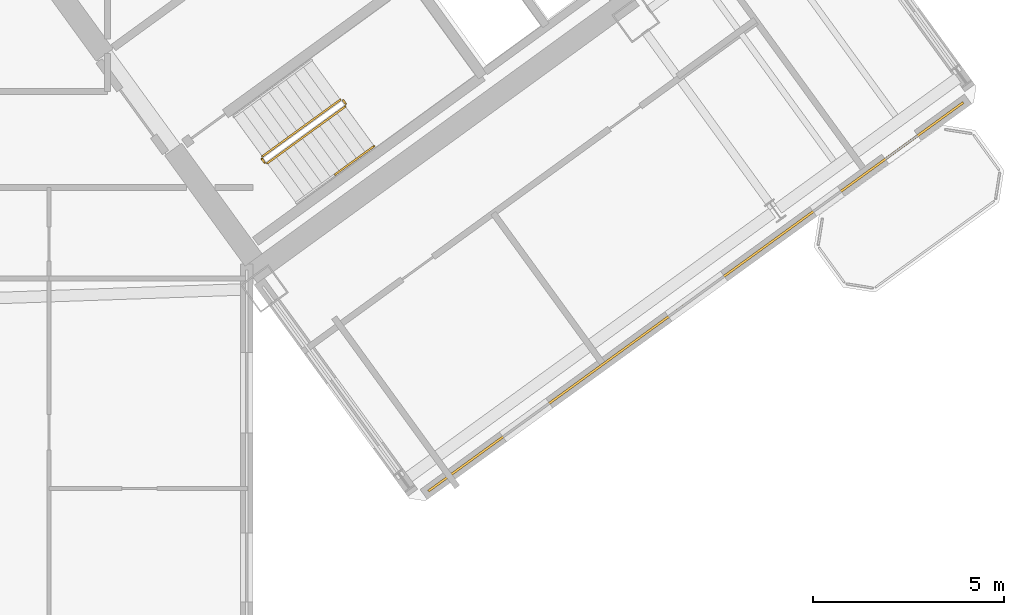
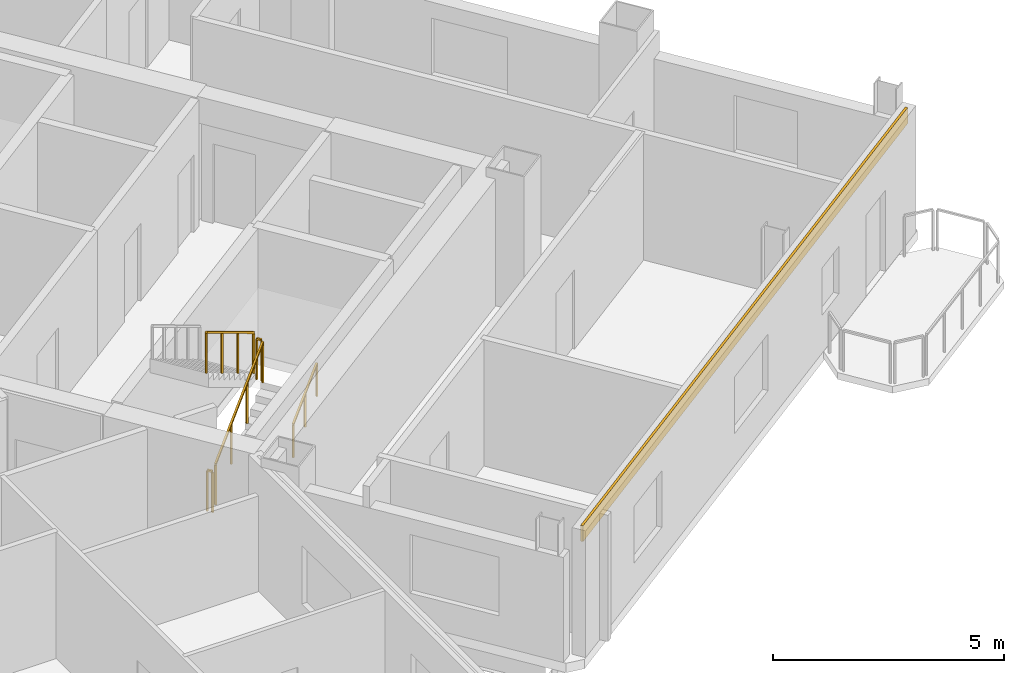
# One storey, part 27 of 29: 5 railings, 1 covering.
"""IFC4 building model written with IfcOpenShell, lengths in metres."""

import ifcopenshell
import ifcopenshell.guid

model = None  # the IFC model being written
_history = None  # IfcOwnerHistory: only IFC2X3 demands one
_inside = {}  # id of a spatial element -> (the spatial element, [elements in it])
_under = {}  # id of a project, library or spatial element -> (it, [spatial elements below it])
_declared = {}  # id of a project -> (the project, [libraries it declares])
_typed = {}  # id of a type object -> (the type object, [elements of that type])
_made_of = {}  # id of a material, layer set ... -> (it, [elements and type objects made of it])


def new_model(schema):
    """Start an empty IFC model of exactly this schema.

    Asked for "IFC4X3", IfcOpenShell would pick the latest addendum, in which some entities
    have other attributes; the version numbers below select the first issue.
    IFC2X3 requires an IfcOwnerHistory on every rooted entity: one is made here for all.
    """
    global model, _history
    if schema == "IFC4X3":
        model = ifcopenshell.file(schema_version=(4, 3, 0, 0))
    else:
        model = ifcopenshell.file(schema=schema)
    _inside.clear()
    _under.clear()
    _declared.clear()
    _typed.clear()
    _made_of.clear()
    _history = None
    if model.schema == "IFC2X3":
        org = make("IfcOrganization", Name="unknown")
        user = make(
            "IfcPersonAndOrganization",
            ThePerson=make("IfcPerson", FamilyName="unknown"),
            TheOrganization=org,
        )
        app = make(
            "IfcApplication",
            ApplicationDeveloper=org,
            Version="unknown",
            ApplicationFullName="unknown",
            ApplicationIdentifier="unknown",
        )
        _history = make(
            "IfcOwnerHistory",
            OwningUser=user,
            OwningApplication=app,
            ChangeAction="ADDED",
            CreationDate=0,
        )
    return model


def make(cls, **values):
    """One entity of the class cls with the attributes given. An attribute that is None is left unset."""
    return model.create_entity(
        cls, **{name: value for name, value in values.items() if value is not None}
    )


def rooted(cls, **values):
    """An entity with a GlobalId (a new one), such as an element, a storey or a relation."""
    return make(cls, GlobalId=ifcopenshell.guid.new(), OwnerHistory=_history, **values)


def si_unit(unit_type, name, prefix=None):
    """IfcSIUnit, for example si_unit("LENGTHUNIT", "METRE", prefix="MILLI")."""
    return make("IfcSIUnit", UnitType=unit_type, Prefix=prefix, Name=name)


def assignment(units):
    """IfcUnitAssignment: the units of a project."""
    return None if units is None else make("IfcUnitAssignment", Units=units)


def point(xyz):
    """IfcCartesianPoint."""
    return None if xyz is None else make("IfcCartesianPoint", Coordinates=xyz)


def direction(xyz):
    """IfcDirection."""
    return None if xyz is None else make("IfcDirection", DirectionRatios=xyz)


def frame(location, z_axis=None, x_axis=None):
    """IfcAxis2Placement3D, a coordinate frame: its origin and axes. An axis left out is left unset."""
    return make(
        "IfcAxis2Placement3D",
        Location=point(location),
        Axis=direction(z_axis),
        RefDirection=direction(x_axis),
    )


def frame_2d(location, x_axis=None):
    """IfcAxis2Placement2D, a coordinate frame in the plane: its origin and x axis."""
    return make(
        "IfcAxis2Placement2D", Location=point(location), RefDirection=direction(x_axis)
    )


def origin():
    """The frame at (0, 0, 0) with its axes left unset."""
    return frame((0.0, 0.0, 0.0))


def origin_2d():
    """The frame at (0, 0) in the plane with its x axis left unset."""
    return frame_2d((0.0, 0.0))


def place(relative_to, where):
    """IfcLocalPlacement: puts the frame where relative to a parent placement (None: the world)."""
    return make(
        "IfcLocalPlacement", PlacementRelTo=relative_to, RelativePlacement=where
    )


def context(
    kind, dimensions, precision=None, world=None, true_north=None, identifier=None
):
    """IfcGeometricRepresentationContext, for example the 3D "Model" context."""
    return make(
        "IfcGeometricRepresentationContext",
        ContextIdentifier=identifier,
        ContextType=kind,
        CoordinateSpaceDimension=dimensions,
        Precision=precision,
        WorldCoordinateSystem=world,
        TrueNorth=true_north,
    )


def subcontext(parent, identifier, kind, view, scale=None):
    """IfcGeometricRepresentationSubContext, for example "Body" below "Model"."""
    return make(
        "IfcGeometricRepresentationSubContext",
        ContextIdentifier=identifier,
        ContextType=kind,
        ParentContext=parent,
        TargetScale=scale,
        TargetView=view,
    )


def project(units=None, contexts=None):
    """IfcProject with its units and contexts."""
    return rooted(
        "IfcProject",
        Name="project",
        RepresentationContexts=contexts,
        UnitsInContext=assignment(units),
    )


def spatial(cls, under=None, at=None, **own):
    """A site, building, storey or space (cls), placed at a placement, below another one or the project."""
    s = rooted(cls, ObjectPlacement=at, **own)
    if under is not None:
        _under.setdefault(under.id(), (under, []))[1].append(s)
    return s


def profile(cls, at=None, kind="AREA", **sizes):
    """A parametric profile (cls). Its sizes go by their IFC names, for example OverallWidth=200.0."""
    return make(cls, ProfileType=kind, Position=at, **sizes)


def rectangle(**sizes):
    """IfcRectangleProfileDef."""
    return profile("IfcRectangleProfileDef", **sizes)


def extrude(swept, where, along, depth):
    """IfcExtrudedAreaSolid: the profile swept, set in the frame where, extruded along a direction by depth."""
    return make(
        "IfcExtrudedAreaSolid",
        SweptArea=swept,
        Position=where,
        ExtrudedDirection=direction(along),
        Depth=depth,
    )


def shape(context_of_items, identifier, shape_type, items):
    """IfcShapeRepresentation: the items that make up one representation, for example the "Body"."""
    return make(
        "IfcShapeRepresentation",
        ContextOfItems=context_of_items,
        RepresentationIdentifier=identifier,
        RepresentationType=shape_type,
        Items=items,
    )


def source(mapping_origin, context_of_items, identifier, shape_type, items):
    """IfcRepresentationMap: a shape defined once, which mapped items show again and again."""
    return make(
        "IfcRepresentationMap",
        MappingOrigin=mapping_origin,
        MappedRepresentation=shape(context_of_items, identifier, shape_type, items),
    )


def transform(
    local_origin,
    x_axis=None,
    y_axis=None,
    z_axis=None,
    scale=None,
    scale2=None,
    scale3=None,
    uniform=True,
):
    """IfcCartesianTransformationOperator3D, or its non-uniform kind. x_axis, y_axis, z_axis: its Axis1, 2, 3."""
    if uniform:
        return make(
            "IfcCartesianTransformationOperator3D",
            Axis1=direction(x_axis),
            Axis2=direction(y_axis),
            LocalOrigin=point(local_origin),
            Scale=scale,
            Axis3=direction(z_axis),
        )
    return make(
        "IfcCartesianTransformationOperator3DnonUniform",
        Axis1=direction(x_axis),
        Axis2=direction(y_axis),
        LocalOrigin=point(local_origin),
        Scale=scale,
        Axis3=direction(z_axis),
        Scale2=scale2,
        Scale3=scale3,
    )


def mapped(mapping_source, mapping_target):
    """IfcMappedItem: shows the shape of a source again, moved by a transform."""
    return make(
        "IfcMappedItem", MappingSource=mapping_source, MappingTarget=mapping_target
    )


def material(Name=None, Category=None):
    """IfcMaterial."""
    return make("IfcMaterial", Name=Name, Category=Category)


def layer(
    of_material, thickness, ventilated=None, Name=None, Category=None, Priority=None
):
    """IfcMaterialLayer: one layer of a wall or slab, of a material (None: an air gap)."""
    return make(
        "IfcMaterialLayer",
        Material=of_material,
        LayerThickness=thickness,
        IsVentilated=ventilated,
        Name=Name,
        Category=Category,
        Priority=Priority,
    )


def layer_set(layers, Name=None):
    """IfcMaterialLayerSet."""
    return make("IfcMaterialLayerSet", MaterialLayers=layers, LayerSetName=Name)


def made_of(thing, what):
    """Note that an element or type object is made of a material, layer set ...; save() writes the relation."""
    if what is not None:
        _made_of.setdefault(what.id(), (what, []))[1].append(thing)
    return thing


def type_object(cls, material=None, **own):
    """A type object (cls), such as IfcWallType, which elements share."""
    return made_of(rooted(cls, **own), material)


def element(
    cls,
    number,
    at=None,
    inside=None,
    cuts=None,
    type_object=None,
    material=None,
    context=None,
    identifier="Body",
    shape_type=None,
    held_by="IfcProductDefinitionShape",
    body=None,
    shapes=None,
    **own,
):
    """One element of the class cls, such as IfcWall. Its Tag is "e" and its number.

    at: its placement. inside: the storey or other place that contains it. cuts: it is an
    opening in that element (IfcRelVoidsElement). A single representation is given by context,
    identifier, shape_type and body (its items); several are given by shapes. held_by: the class
    of the entity that holds the representations. save() writes the other relations.
    """
    e = rooted(cls, Tag="e%d" % number, ObjectPlacement=at, **own)
    if body is not None:
        shapes = [shape(context, identifier, shape_type, body)]
    if shapes is not None:
        e.Representation = make(held_by, Representations=shapes)
    if inside is not None:
        _inside.setdefault(inside.id(), (inside, []))[1].append(e)
    if cuts is not None:
        rooted(
            "IfcRelVoidsElement", RelatingBuildingElement=cuts, RelatedOpeningElement=e
        )
    if type_object is not None:
        _typed.setdefault(type_object.id(), (type_object, []))[1].append(e)
    return made_of(e, material)


def aggregate(whole, parts):
    """IfcRelAggregates: a whole, such as a stair, and the parts it consists of."""
    return rooted("IfcRelAggregates", RelatingObject=whole, RelatedObjects=parts)


def save(model, path):
    """Write the relations noted so far, then the file.

    IfcRelAggregates (storeys below a building ...), IfcRelContainedInSpatialStructure (elements
    in a storey), IfcRelDefinesByType, IfcRelAssociatesMaterial and IfcRelDeclares: one each for
    every whole, place, type object, material and project.
    """
    for whole, parts in _under.values():
        aggregate(whole, parts)
    for where, things in _inside.values():
        rooted(
            "IfcRelContainedInSpatialStructure",
            RelatedElements=things,
            RelatingStructure=where,
        )
    for kind, things in _typed.values():
        rooted("IfcRelDefinesByType", RelatedObjects=things, RelatingType=kind)
    for what, things in _made_of.values():
        rooted("IfcRelAssociatesMaterial", RelatedObjects=things, RelatingMaterial=what)
    for by, libraries in _declared.values():
        rooted("IfcRelDeclares", RelatingContext=by, RelatedDefinitions=libraries)
    model.write(path)


model = new_model("IFC4")

# Units and contexts
model_context = context("Model", 3, precision=1e-05, world=origin(), true_north=direction((0.0, 1.0)))
body_context = subcontext(model_context, "Body", "Model", "MODEL_VIEW")
ifc_project = project(units=[si_unit("LENGTHUNIT", "METRE"), si_unit("AREAUNIT", "SQUARE_METRE"), si_unit("VOLUMEUNIT", "CUBIC_METRE"), si_unit("PLANEANGLEUNIT", "RADIAN"), si_unit("MASSUNIT", "GRAM", prefix="KILO")], contexts=[model_context])

# Site, building, storey
site_placement = place(None, origin())
site = spatial("IfcSite", under=ifc_project, at=site_placement, CompositionType="ELEMENT")
building_placement = place(site_placement, origin())
building = spatial("IfcBuilding", under=site, at=building_placement, Name="Tlacorven Tower", CompositionType="ELEMENT")
storey_placement = place(building_placement, frame((0.0, 0.0, 158.699951171875)))
storey = spatial("IfcBuildingStorey", under=building, at=storey_placement, Name="L40", CompositionType="ELEMENT", Elevation=158.699951171875)

# Covering
ifc_material_1 = material(Name="Precast concrete C45/55", Category="concrete")
ifc_layer = layer(ifc_material_1, 0.06005859375)
ifc_layer_set = layer_set([ifc_layer], Name="Precast concrete C45/55")
covering_type = type_object("IfcCoveringType", Name="CV-CLD-TERC", PredefinedType="CLADDING", material=ifc_layer_set)
shared_shape_1 = source(origin(), body_context, "Body", "SweptSolid", [
    extrude(rectangle(XDim=17.287353515625, YDim=0.06005859375, at=origin_2d()), origin(), (0.0, 0.0, 1.0), 0.419921875),
])
covering_placement = place(storey_placement, frame((63.9833984375, 12.562255859375, 2.93017578125), z_axis=(0.0, 0.0, 1.0), x_axis=(-0.809017097486, -0.587785110372, 0.0)))
element("IfcCovering", 1, at=covering_placement, inside=storey, type_object=covering_type, Name="L40 Masonry-Frame Spandrel Cladding 6", PredefinedType="CLADDING", context=body_context, shape_type="MappedRepresentation", body=[
    mapped(shared_shape_1, transform((0.0, 0.0, 0.0), scale=1.0)),
])

# Railings
ifc_material_2 = material(Name="Aluminium and painted steel balustrade", Category="steel")
railing_type_1 = type_object("IfcRailingType", Name="RL-GRD-1100", PredefinedType="GUARDRAIL", material=ifc_material_2)
shared_shape_2 = source(origin(), body_context, "Body", "SweptSolid", [
    extrude(rectangle(XDim=0.048095703125, YDim=0.048095703125, at=origin_2d()), frame((0.0, 0.0, 1.076171875), z_axis=(-0.587567097037, 0.809175448515, 0.0), x_axis=(-0.809175448515, -0.587567097037, 0.0)), (0.0, 0.0, 1.0), 0.1201171875),
    extrude(rectangle(XDim=0.0419921875, YDim=0.0419921875, at=origin_2d()), origin(), (0.0, 0.0, 1.0), 1.052001953125),
    extrude(rectangle(XDim=0.0419921875, YDim=0.0419921875, at=origin_2d()), frame((-0.070556640625, 0.09716796875, 0.0)), (0.0, 0.0, 1.0), 1.052001953125),
])
for number, where, name in (
    (2, (54.8310546875, 17.605712890625, 1.800048828125), "L40 ST-E2 stair guard 2"),
    (3, (52.71142578125, 16.065673828125, 0.0), "L40 ST-E2 stair guard 4"),
):
    element("IfcRailing", number, at=place(storey_placement, frame(where)), inside=storey, type_object=railing_type_1, Name=name, PredefinedType="GUARDRAIL", context=body_context, shape_type="MappedRepresentation", body=[
        mapped(shared_shape_2, transform((0.0, 0.0, 0.0), scale=1.0)),
    ])
railing_type_2 = type_object("IfcRailingType", Name="RL-HND-0900", PredefinedType="HANDRAIL", material=ifc_material_2)
shared_shape_3 = source(origin(), body_context, "Body", "SweptSolid", [
    extrude(rectangle(XDim=0.048095703125, YDim=0.048095703125, at=origin_2d()), frame((0.0, 0.0, 0.8759765625), z_axis=(0.680516055757, 0.494372502302, 0.540826891737), x_axis=(-0.587745292299, 0.809046025502, 0.0)), (0.0, 0.0, 1.0), 1.497802734375),
    extrude(rectangle(XDim=0.0419921875, YDim=0.0419921875, at=origin_2d()), origin(), (0.0, 0.0, 1.0), 0.851806640625),
    extrude(rectangle(XDim=0.0419921875, YDim=0.0419921875, at=origin_2d()), frame((0.509765625, 0.3701171875, 0.405029296875)), (0.0, 0.0, 1.0), 0.851806640625),
    extrude(rectangle(XDim=0.0419921875, YDim=0.0419921875, at=origin_2d()), frame((1.019287109375, 0.740478515625, 0.81005859375)), (0.0, 0.0, 1.0), 0.851806640625),
])
railing_1_placement = place(storey_placement, frame((54.552978515625, 15.759765625, 0.989990234375)))
element("IfcRailing", 4, at=railing_1_placement, inside=storey, type_object=railing_type_2, Name="L40 ST-E2 stair handrail 2", PredefinedType="HANDRAIL", context=body_context, shape_type="MappedRepresentation", body=[
    mapped(shared_shape_3, transform((0.0, 0.0, 0.0), scale=1.0)),
])
shared_shape_4 = source(origin(), body_context, "Body", "SweptSolid", [
    extrude(rectangle(XDim=0.048095703125, YDim=0.048095703125, at=origin_2d()), frame((0.0, 0.0, 1.076171875), z_axis=(0.680532390839, 0.494406659708, 0.54077511024), x_axis=(-0.587762637553, 0.809033424462, 0.0)), (0.0, 0.0, 1.0), 2.995849609375),
    extrude(rectangle(XDim=0.0419921875, YDim=0.0419921875, at=origin_2d()), origin(), (0.0, 0.0, 1.0), 1.052001953125),
    extrude(rectangle(XDim=0.0419921875, YDim=0.0419921875, at=origin_2d()), frame((0.6796875, 0.49365234375, 0.5400390625)), (0.0, 0.0, 1.0), 1.052001953125),
    extrude(rectangle(XDim=0.0419921875, YDim=0.0419921875, at=origin_2d()), frame((1.359130859375, 0.987548828125, 1.080078125)), (0.0, 0.0, 1.0), 1.052001953125),
    extrude(rectangle(XDim=0.0419921875, YDim=0.0419921875, at=origin_2d()), frame((2.038818359375, 1.481201171875, 1.6201171875)), (0.0, 0.0, 1.0), 1.052001953125),
])
railing_2_placement = place(storey_placement, frame((52.78125, 16.0546875, 0.179931640625)))
element("IfcRailing", 5, at=railing_2_placement, inside=storey, type_object=railing_type_1, Name="L40 ST-E2 stair guard 1", PredefinedType="GUARDRAIL", context=body_context, shape_type="MappedRepresentation", body=[
    mapped(shared_shape_4, transform((0.0, 0.0, 0.0), scale=1.0)),
])
shared_shape_5 = source(origin(), body_context, "Body", "SweptSolid", [
    extrude(rectangle(XDim=0.048095703125, YDim=0.048095703125, at=origin_2d()), frame((0.0, 0.0, 1.076171875), z_axis=(-0.680532390839, -0.494406659708, 0.54077511024), x_axis=(0.587762637553, -0.809033424462, 0.0)), (0.0, 0.0, 1.0), 2.995849609375),
    extrude(rectangle(XDim=0.0419921875, YDim=0.0419921875, at=origin_2d()), origin(), (0.0, 0.0, 1.0), 1.052001953125),
    extrude(rectangle(XDim=0.0419921875, YDim=0.0419921875, at=origin_2d()), frame((-0.6796875, -0.49365234375, 0.5400390625)), (0.0, 0.0, 1.0), 1.052001953125),
    extrude(rectangle(XDim=0.0419921875, YDim=0.0419921875, at=origin_2d()), frame((-1.359130859375, -0.987548828125, 1.080078125)), (0.0, 0.0, 1.0), 1.052001953125),
    extrude(rectangle(XDim=0.0419921875, YDim=0.0419921875, at=origin_2d()), frame((-2.038818359375, -1.481201171875, 1.6201171875)), (0.0, 0.0, 1.0), 1.052001953125),
])
railing_3_placement = place(storey_placement, frame((54.690673828125, 17.7138671875, 1.97998046875)))
element("IfcRailing", 6, at=railing_3_placement, inside=storey, type_object=railing_type_1, Name="L40 ST-E2 stair guard 3", PredefinedType="GUARDRAIL", context=body_context, shape_type="MappedRepresentation", body=[
    mapped(shared_shape_5, transform((0.0, 0.0, 0.0), scale=1.0)),
])

save(model, "model.ifc")
